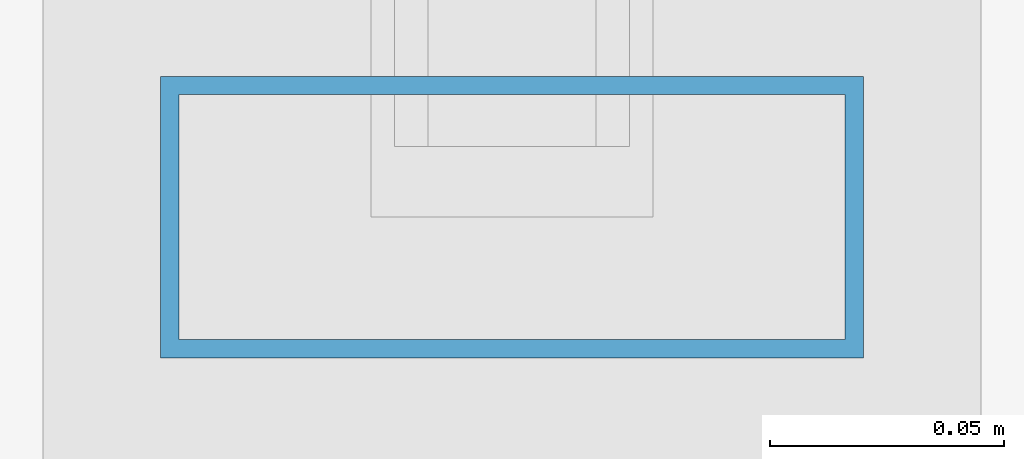
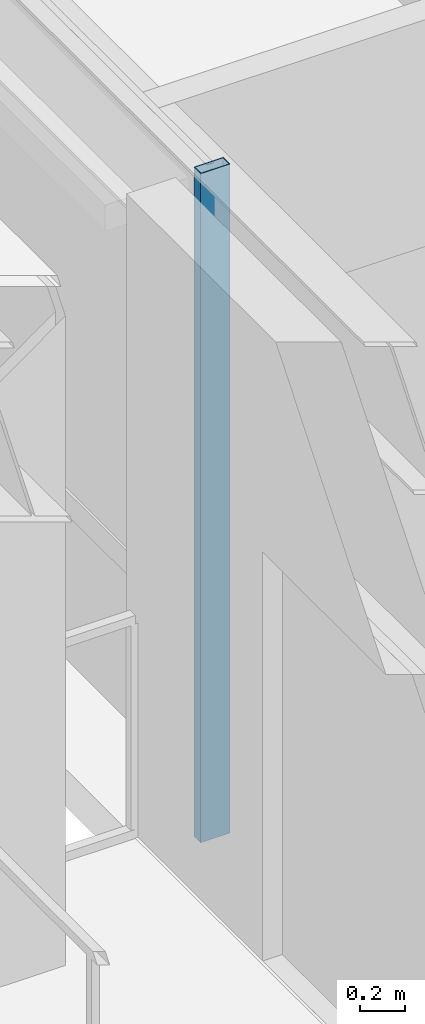
# One storey, part 9 of 26: 1 member, 1 element without a shape of its own.
"""IFC4 building model written with IfcOpenShell, lengths in metres."""

from ifc_helpers import new_model, si_unit, direction, frame, origin, origin_2d, place, context, subcontext, project, spatial, hollow_rectangle, extrude, material, layer, layer_set, material_profile, profile_set, type_object, element, aggregate, save


model = new_model("IFC4")

# Units and contexts
model_context = context("Model", 3, precision=1e-05, world=origin(), true_north=direction((0.0, 1.0)))
body_context = subcontext(model_context, "Body", "Model", "MODEL_VIEW")
ifc_project = project(units=[si_unit("LENGTHUNIT", "METRE"), si_unit("AREAUNIT", "SQUARE_METRE"), si_unit("VOLUMEUNIT", "CUBIC_METRE"), si_unit("PLANEANGLEUNIT", "RADIAN"), si_unit("MASSUNIT", "GRAM", prefix="KILO")], contexts=[model_context])

# Site, building, storey
site_placement = place(None, origin())
site = spatial("IfcSite", under=ifc_project, at=site_placement, CompositionType="ELEMENT")
building_placement = place(site_placement, origin())
building = spatial("IfcBuilding", under=site, at=building_placement, Name="Brelmoor Portico Tower", CompositionType="ELEMENT")
storey_placement = place(building_placement, frame((0.0, 0.0, 247.199951171875)))
storey = spatial("IfcBuildingStorey", under=building, at=storey_placement, Name="L65", CompositionType="ELEMENT", Elevation=247.199951171875)

# Curtain wall, member
ifc_material = material(Name="Anodised Aluminium Alloy 6063-T6", Category="aluminium")
ifc_layer = layer(ifc_material, 0.179931640625)
ifc_layer_set = layer_set([ifc_layer], Name="Anodised Aluminium Alloy 6063-T6")
curtain_wall_type = type_object("IfcCurtainWallType", Name="CW-TOWER-Z4", PredefinedType="NOTDEFINED", material=ifc_layer_set)
curtain_wall_placement = place(storey_placement, origin())
curtain_wall = element("IfcCurtainWall", 1, at=curtain_wall_placement, inside=storey, type_object=curtain_wall_type, Name="L65 Curtain Wall CW-L65-3R-1", PredefinedType="NOTDEFINED")
ifc_material_profile = material_profile(ifc_material, hollow_rectangle(XDim=0.06005859375, YDim=0.14990234375, WallThickness=0.00390625, at=origin_2d()), Name="ALU MULLION 60x150")
ifc_profile_set = profile_set([ifc_material_profile], Name="Anodised Aluminium Alloy 6063-T6")
member_type = type_object("IfcMemberType", Name="MB-CW-MULL-150", PredefinedType="MULLION", material=ifc_profile_set)
member_placement = place(storey_placement, frame((-18.550048828125, -1.0, -0.199951171875), z_axis=(0.0, 0.0, 1.0), x_axis=(0.0, 1.0, 0.0)))
member = element("IfcMember", 2, at=member_placement, type_object=member_type, Name="CW-L65-3R-1 Mullion 00", PredefinedType="MULLION", context=body_context, shape_type="SweptSolid", body=[
    extrude(hollow_rectangle(XDim=0.06005859375, YDim=0.14990234375, WallThickness=0.00390625, at=origin_2d()), origin(), (0.0, 0.0, 1.0), 3.60009765625),
])
aggregate(curtain_wall, [member])

save(model, "model.ifc")
